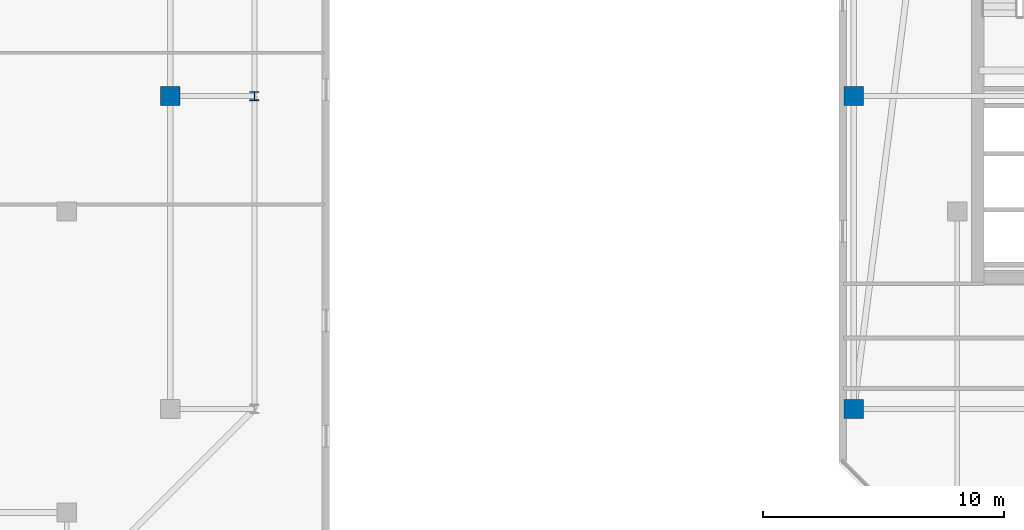
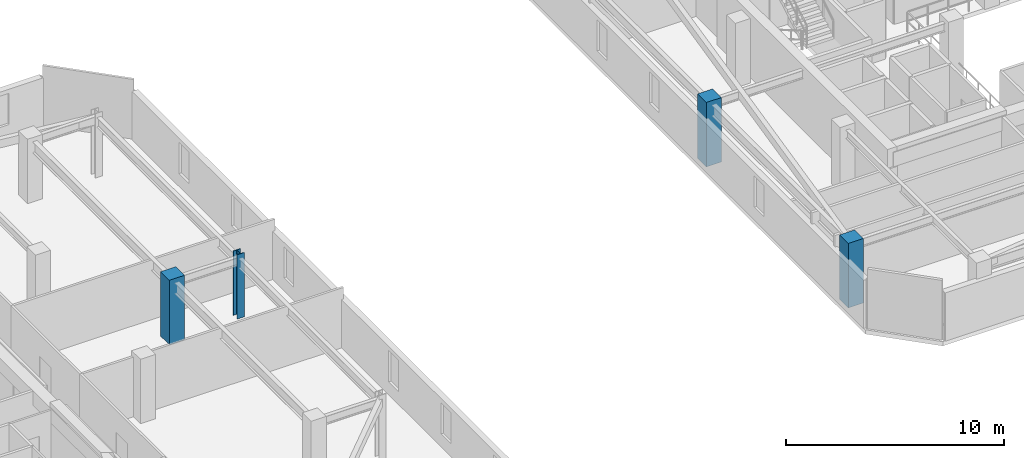
# One storey, part 2 of 35: 4 columns.
"""IFC4 building model written with IfcOpenShell, lengths in metres."""

from ifc_helpers import new_model, si_unit, direction, frame, origin, origin_2d, place, context, subcontext, project, spatial, rectangle, i_section, extrude, material, material_profile, profile_set, type_object, element, save


model = new_model("IFC4")

# Units and contexts
model_context = context("Model", 3, precision=1e-05, world=origin(), true_north=direction((0.0, 1.0)))
body_context = subcontext(model_context, "Body", "Model", "MODEL_VIEW")
ifc_project = project(units=[si_unit("LENGTHUNIT", "METRE"), si_unit("AREAUNIT", "SQUARE_METRE"), si_unit("VOLUMEUNIT", "CUBIC_METRE"), si_unit("PLANEANGLEUNIT", "RADIAN"), si_unit("MASSUNIT", "GRAM", prefix="KILO")], contexts=[model_context])

# Site, building, storey
site_placement = place(None, origin())
site = spatial("IfcSite", under=ifc_project, at=site_placement, CompositionType="ELEMENT")
building_placement = place(site_placement, origin())
building = spatial("IfcBuilding", under=site, at=building_placement, Name="Thornwick Lancets Civic Towers", CompositionType="ELEMENT")
storey_placement = place(building_placement, frame((0.0, 0.0, 269.10009765625)))
storey = spatial("IfcBuildingStorey", under=building, at=storey_placement, Name="L72", CompositionType="ELEMENT", Elevation=269.10009765625)

# Columns
ifc_material_1 = material(Name="Concrete C50/60", Category="concrete")
ifc_material_profile_1 = material_profile(ifc_material_1, rectangle(XDim=0.800048828125, YDim=0.800048828125, at=origin_2d()), Name="RC 800x800")
ifc_profile_set_1 = profile_set([ifc_material_profile_1], Name="Concrete C50/60")
column_type_1 = type_object("IfcColumnType", Name="COL_RC_800", PredefinedType="COLUMN", material=ifc_profile_set_1)
for number, where, z_axis, x_axis, name in (
    (1, (42.800048828125, 27.0, 0.0), (0.0, 0.0, 1.0), (1.0, 0.0, 0.0), "L72 Spine Mega-Column A05"),
    (2, (71.199951171875, 14.0, 0.0), (0.0, 0.0, 1.0), (1.0, 0.0, 0.0), "L72 Spine Mega-Column B07"),
    (3, (71.199951171875, 27.0, 0.0), (0.0, 0.0, 1.0), (1.0, 0.0, 0.0), "L72 Spine Mega-Column B08"),
):
    element("IfcColumn", number, at=place(storey_placement, frame(where, z_axis=z_axis, x_axis=x_axis)), inside=storey, type_object=column_type_1, Name=name, PredefinedType="COLUMN", context=body_context, shape_type="SweptSolid", body=[
        extrude(rectangle(XDim=0.800048828125, YDim=0.800048828125, at=origin_2d()), origin(), (0.0, 0.0, 1.0), 3.599853515625),
    ])
ifc_material_2 = material(Name="Steel S355JR", Category="steel")
ifc_material_profile_2 = material_profile(ifc_material_2, i_section(OverallWidth=0.374755859375, OverallDepth=0.37451171875, WebThickness=0.0166015625, FlangeThickness=0.027099609375, FilletRadius=0.01513671875, at=origin_2d()), Name="UKC 356x368x202")
ifc_profile_set_2 = profile_set([ifc_material_profile_2], Name="Steel S355JR")
column_type_2 = type_object("IfcColumnType", Name="COL_UKC_202", PredefinedType="COLUMN", material=ifc_profile_set_2)
column_placement = place(storey_placement, frame((46.300048828125, 27.0, 0.0), z_axis=(0.0, 0.0, 1.0), x_axis=(1.0, 0.0, 0.0)))
element("IfcColumn", 4, at=column_placement, inside=storey, type_object=column_type_2, Name="L72 Block Perimeter Column A05", PredefinedType="COLUMN", context=body_context, shape_type="SweptSolid", body=[
    extrude(i_section(OverallWidth=0.374755859375, OverallDepth=0.37451171875, WebThickness=0.0166015625, FlangeThickness=0.027099609375, FilletRadius=0.01513671875, at=origin_2d()), origin(), (0.0, 0.0, 1.0), 3.599853515625),
])

save(model, "model.ifc")
